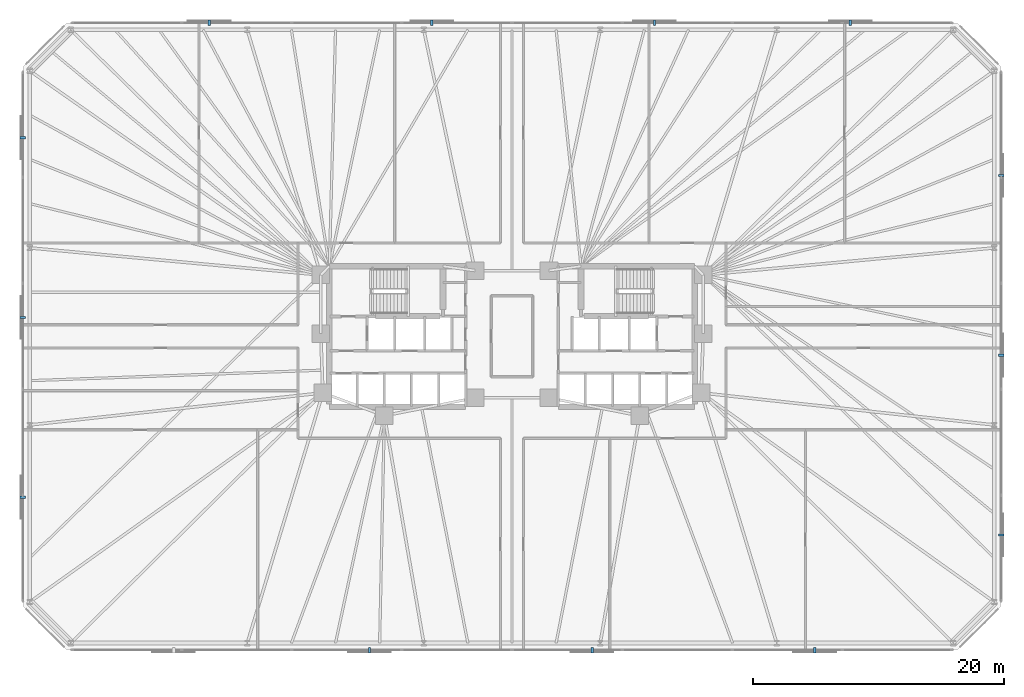
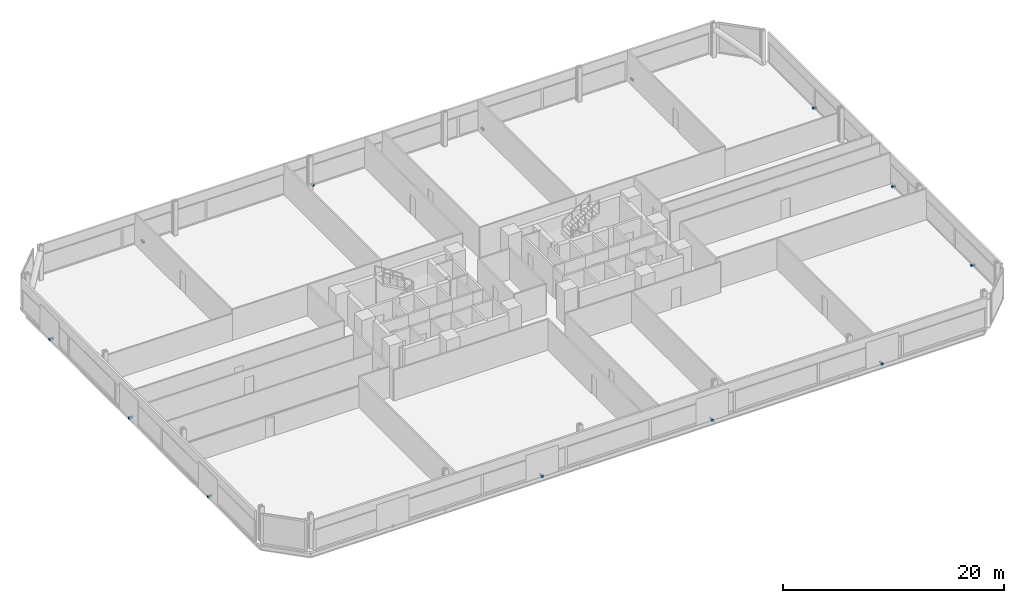
# One storey, part 16 of 17: 13 discrete accessories.
"""IFC4 building model written with IfcOpenShell, lengths in metres."""

import ifcopenshell
import ifcopenshell.guid

model = None  # the IFC model being written
_history = None  # IfcOwnerHistory: only IFC2X3 demands one
_inside = {}  # id of a spatial element -> (the spatial element, [elements in it])
_under = {}  # id of a project, library or spatial element -> (it, [spatial elements below it])
_declared = {}  # id of a project -> (the project, [libraries it declares])
_typed = {}  # id of a type object -> (the type object, [elements of that type])
_made_of = {}  # id of a material, layer set ... -> (it, [elements and type objects made of it])


def new_model(schema):
    """Start an empty IFC model of exactly this schema.

    Asked for "IFC4X3", IfcOpenShell would pick the latest addendum, in which some entities
    have other attributes; the version numbers below select the first issue.
    IFC2X3 requires an IfcOwnerHistory on every rooted entity: one is made here for all.
    """
    global model, _history
    if schema == "IFC4X3":
        model = ifcopenshell.file(schema_version=(4, 3, 0, 0))
    else:
        model = ifcopenshell.file(schema=schema)
    _inside.clear()
    _under.clear()
    _declared.clear()
    _typed.clear()
    _made_of.clear()
    _history = None
    if model.schema == "IFC2X3":
        org = make("IfcOrganization", Name="unknown")
        user = make(
            "IfcPersonAndOrganization",
            ThePerson=make("IfcPerson", FamilyName="unknown"),
            TheOrganization=org,
        )
        app = make(
            "IfcApplication",
            ApplicationDeveloper=org,
            Version="unknown",
            ApplicationFullName="unknown",
            ApplicationIdentifier="unknown",
        )
        _history = make(
            "IfcOwnerHistory",
            OwningUser=user,
            OwningApplication=app,
            ChangeAction="ADDED",
            CreationDate=0,
        )
    return model


def make(cls, **values):
    """One entity of the class cls with the attributes given. An attribute that is None is left unset."""
    return model.create_entity(
        cls, **{name: value for name, value in values.items() if value is not None}
    )


def rooted(cls, **values):
    """An entity with a GlobalId (a new one), such as an element, a storey or a relation."""
    return make(cls, GlobalId=ifcopenshell.guid.new(), OwnerHistory=_history, **values)


def si_unit(unit_type, name, prefix=None):
    """IfcSIUnit, for example si_unit("LENGTHUNIT", "METRE", prefix="MILLI")."""
    return make("IfcSIUnit", UnitType=unit_type, Prefix=prefix, Name=name)


def assignment(units):
    """IfcUnitAssignment: the units of a project."""
    return None if units is None else make("IfcUnitAssignment", Units=units)


def point(xyz):
    """IfcCartesianPoint."""
    return None if xyz is None else make("IfcCartesianPoint", Coordinates=xyz)


def direction(xyz):
    """IfcDirection."""
    return None if xyz is None else make("IfcDirection", DirectionRatios=xyz)


def frame(location, z_axis=None, x_axis=None):
    """IfcAxis2Placement3D, a coordinate frame: its origin and axes. An axis left out is left unset."""
    return make(
        "IfcAxis2Placement3D",
        Location=point(location),
        Axis=direction(z_axis),
        RefDirection=direction(x_axis),
    )


def frame_2d(location, x_axis=None):
    """IfcAxis2Placement2D, a coordinate frame in the plane: its origin and x axis."""
    return make(
        "IfcAxis2Placement2D", Location=point(location), RefDirection=direction(x_axis)
    )


def origin():
    """The frame at (0, 0, 0) with its axes left unset."""
    return frame((0.0, 0.0, 0.0))


def origin_2d():
    """The frame at (0, 0) in the plane with its x axis left unset."""
    return frame_2d((0.0, 0.0))


def place(relative_to, where):
    """IfcLocalPlacement: puts the frame where relative to a parent placement (None: the world)."""
    return make(
        "IfcLocalPlacement", PlacementRelTo=relative_to, RelativePlacement=where
    )


def context(
    kind, dimensions, precision=None, world=None, true_north=None, identifier=None
):
    """IfcGeometricRepresentationContext, for example the 3D "Model" context."""
    return make(
        "IfcGeometricRepresentationContext",
        ContextIdentifier=identifier,
        ContextType=kind,
        CoordinateSpaceDimension=dimensions,
        Precision=precision,
        WorldCoordinateSystem=world,
        TrueNorth=true_north,
    )


def subcontext(parent, identifier, kind, view, scale=None):
    """IfcGeometricRepresentationSubContext, for example "Body" below "Model"."""
    return make(
        "IfcGeometricRepresentationSubContext",
        ContextIdentifier=identifier,
        ContextType=kind,
        ParentContext=parent,
        TargetScale=scale,
        TargetView=view,
    )


def project(units=None, contexts=None):
    """IfcProject with its units and contexts."""
    return rooted(
        "IfcProject",
        Name="project",
        RepresentationContexts=contexts,
        UnitsInContext=assignment(units),
    )


def spatial(cls, under=None, at=None, **own):
    """A site, building, storey or space (cls), placed at a placement, below another one or the project."""
    s = rooted(cls, ObjectPlacement=at, **own)
    if under is not None:
        _under.setdefault(under.id(), (under, []))[1].append(s)
    return s


def profile(cls, at=None, kind="AREA", **sizes):
    """A parametric profile (cls). Its sizes go by their IFC names, for example OverallWidth=200.0."""
    return make(cls, ProfileType=kind, Position=at, **sizes)


def rectangle(**sizes):
    """IfcRectangleProfileDef."""
    return profile("IfcRectangleProfileDef", **sizes)


def extrude(swept, where, along, depth):
    """IfcExtrudedAreaSolid: the profile swept, set in the frame where, extruded along a direction by depth."""
    return make(
        "IfcExtrudedAreaSolid",
        SweptArea=swept,
        Position=where,
        ExtrudedDirection=direction(along),
        Depth=depth,
    )


def shape(context_of_items, identifier, shape_type, items):
    """IfcShapeRepresentation: the items that make up one representation, for example the "Body"."""
    return make(
        "IfcShapeRepresentation",
        ContextOfItems=context_of_items,
        RepresentationIdentifier=identifier,
        RepresentationType=shape_type,
        Items=items,
    )


def material(Name=None, Category=None):
    """IfcMaterial."""
    return make("IfcMaterial", Name=Name, Category=Category)


def made_of(thing, what):
    """Note that an element or type object is made of a material, layer set ...; save() writes the relation."""
    if what is not None:
        _made_of.setdefault(what.id(), (what, []))[1].append(thing)
    return thing


def type_object(cls, material=None, **own):
    """A type object (cls), such as IfcWallType, which elements share."""
    return made_of(rooted(cls, **own), material)


def element(
    cls,
    number,
    at=None,
    inside=None,
    cuts=None,
    type_object=None,
    material=None,
    context=None,
    identifier="Body",
    shape_type=None,
    held_by="IfcProductDefinitionShape",
    body=None,
    shapes=None,
    **own,
):
    """One element of the class cls, such as IfcWall. Its Tag is "e" and its number.

    at: its placement. inside: the storey or other place that contains it. cuts: it is an
    opening in that element (IfcRelVoidsElement). A single representation is given by context,
    identifier, shape_type and body (its items); several are given by shapes. held_by: the class
    of the entity that holds the representations. save() writes the other relations.
    """
    e = rooted(cls, Tag="e%d" % number, ObjectPlacement=at, **own)
    if body is not None:
        shapes = [shape(context, identifier, shape_type, body)]
    if shapes is not None:
        e.Representation = make(held_by, Representations=shapes)
    if inside is not None:
        _inside.setdefault(inside.id(), (inside, []))[1].append(e)
    if cuts is not None:
        rooted(
            "IfcRelVoidsElement", RelatingBuildingElement=cuts, RelatedOpeningElement=e
        )
    if type_object is not None:
        _typed.setdefault(type_object.id(), (type_object, []))[1].append(e)
    return made_of(e, material)


def aggregate(whole, parts):
    """IfcRelAggregates: a whole, such as a stair, and the parts it consists of."""
    return rooted("IfcRelAggregates", RelatingObject=whole, RelatedObjects=parts)


def save(model, path):
    """Write the relations noted so far, then the file.

    IfcRelAggregates (storeys below a building ...), IfcRelContainedInSpatialStructure (elements
    in a storey), IfcRelDefinesByType, IfcRelAssociatesMaterial and IfcRelDeclares: one each for
    every whole, place, type object, material and project.
    """
    for whole, parts in _under.values():
        aggregate(whole, parts)
    for where, things in _inside.values():
        rooted(
            "IfcRelContainedInSpatialStructure",
            RelatedElements=things,
            RelatingStructure=where,
        )
    for kind, things in _typed.values():
        rooted("IfcRelDefinesByType", RelatedObjects=things, RelatingType=kind)
    for what, things in _made_of.values():
        rooted("IfcRelAssociatesMaterial", RelatedObjects=things, RelatingMaterial=what)
    for by, libraries in _declared.values():
        rooted("IfcRelDeclares", RelatingContext=by, RelatedDefinitions=libraries)
    model.write(path)


model = new_model("IFC4")

# Units and contexts
model_context = context("Model", 3, precision=1e-05, world=origin(), true_north=direction((0.0, 1.0)))
body_context = subcontext(model_context, "Body", "Model", "MODEL_VIEW")
ifc_project = project(units=[si_unit("LENGTHUNIT", "METRE"), si_unit("AREAUNIT", "SQUARE_METRE"), si_unit("VOLUMEUNIT", "CUBIC_METRE"), si_unit("PLANEANGLEUNIT", "RADIAN"), si_unit("MASSUNIT", "GRAM", prefix="KILO")], contexts=[model_context])

# Site, building, storey
site_placement = place(None, origin())
site = spatial("IfcSite", under=ifc_project, at=site_placement, CompositionType="ELEMENT")
building_placement = place(site_placement, origin())
building = spatial("IfcBuilding", under=site, at=building_placement, Name="Menara Jurai Vektor", CompositionType="ELEMENT")
storey_placement = place(building_placement, frame((0.0, 0.0, 75.0)))
storey = spatial("IfcBuildingStorey", under=building, at=storey_placement, Name="L18", CompositionType="ELEMENT", Elevation=75.0)

# Discrete accessories
ifc_material = material(Name="Steel S355", Category="steel")
discrete_accessory_type = type_object("IfcDiscreteAccessoryType", Name="ENV-ACC-BRACKET", PredefinedType="BRACKET", material=ifc_material)
for number, where, z_axis, x_axis, name in (
    (1, (-11.360107421875, -25.010009765625, -0.1298828125), (0.0, 0.0, 1.0), (1.0, 0.0, 0.0), "Solar Screen Stand-Off Bracket L18-S02"),
    (2, (6.389892578125, -25.010009765625, -0.1298828125), (0.0, 0.0, 1.0), (1.0, 0.0, 0.0), "Solar Screen Stand-Off Bracket L18-S03"),
    (3, (24.139892578125, -25.010009765625, -0.1298828125), (0.0, 0.0, 1.0), (1.0, 0.0, 0.0), "Solar Screen Stand-Off Bracket L18-S04"),
    (4, (39.010009765625, -15.83837890625, -0.1298828125), (0.0, 0.0, 1.0), (0.0, 1.0, 0.0), "Solar Screen Stand-Off Bracket L18-S05"),
    (5, (39.010009765625, -1.5048828125, -0.1298828125), (0.0, 0.0, 1.0), (0.0, 1.0, 0.0), "Solar Screen Stand-Off Bracket L18-S06"),
    (6, (39.010009765625, 12.828369140625, -0.1298828125), (0.0, 0.0, 1.0), (0.0, 1.0, 0.0), "Solar Screen Stand-Off Bracket L18-S07"),
    (7, (26.97998046875, 25.010009765625, -0.1298828125), (0.0, 0.0, 1.0), (-1.0, 0.0, 0.0), "Solar Screen Stand-Off Bracket L18-S08"),
    (8, (11.360107421875, 25.010009765625, -0.1298828125), (0.0, 0.0, 1.0), (-1.0, 0.0, 0.0), "Solar Screen Stand-Off Bracket L18-S09"),
    (9, (-6.389892578125, 25.010009765625, -0.1298828125), (0.0, 0.0, 1.0), (-1.0, 0.0, 0.0), "Solar Screen Stand-Off Bracket L18-S10"),
    (10, (-24.139892578125, 25.010009765625, -0.1298828125), (0.0, 0.0, 1.0), (-1.0, 0.0, 0.0), "Solar Screen Stand-Off Bracket L18-S11"),
    (11, (-39.010009765625, 15.83837890625, -0.1298828125), (0.0, 0.0, 1.0), (0.0, -1.0, 0.0), "Solar Screen Stand-Off Bracket L18-S12"),
    (12, (-39.010009765625, 1.5048828125, -0.1298828125), (0.0, 0.0, 1.0), (0.0, -1.0, 0.0), "Solar Screen Stand-Off Bracket L18-S13"),
    (13, (-39.010009765625, -12.828369140625, -0.1298828125), (0.0, 0.0, 1.0), (0.0, -1.0, 0.0), "Solar Screen Stand-Off Bracket L18-S14"),
):
    element("IfcDiscreteAccessory", number, at=place(storey_placement, frame(where, z_axis=z_axis, x_axis=x_axis)), inside=storey, type_object=discrete_accessory_type, Name=name, PredefinedType="BRACKET", context=body_context, shape_type="SweptSolid", body=[
        extrude(rectangle(XDim=0.179931640625, YDim=0.43994140625, at=origin_2d()), origin(), (0.0, 0.0, 1.0), 0.219970703125),
    ])

save(model, "model.ifc")
